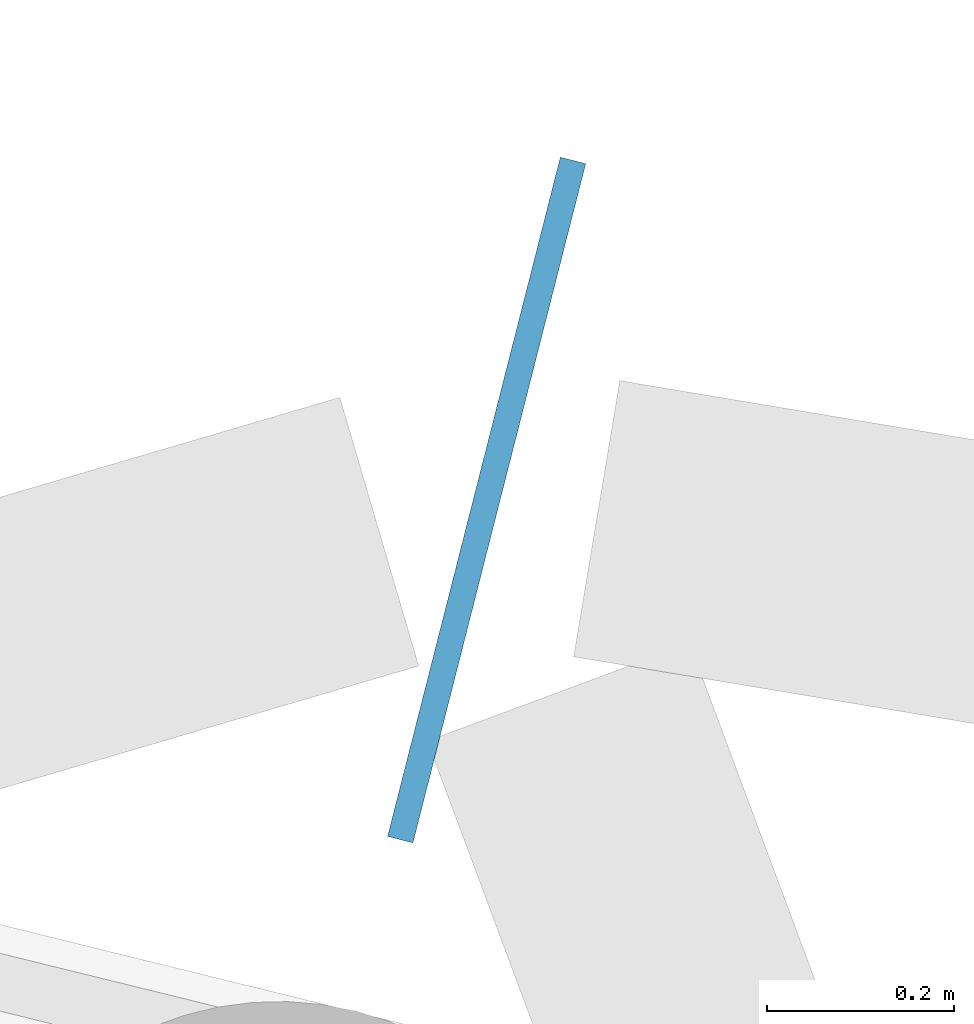
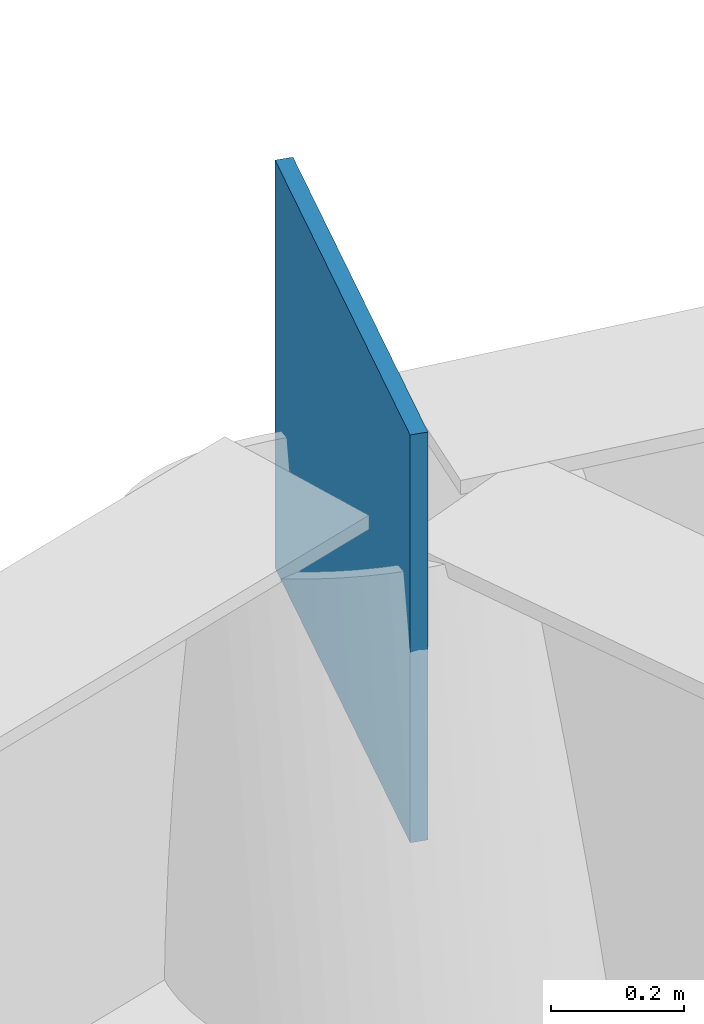
# One storey, part 58 of 91: 1 plate.
"""IFC4 building model written with IfcOpenShell, lengths in metres."""

from ifc_helpers import new_model, si_unit, direction, frame, origin, origin_2d, place, context, subcontext, project, spatial, rectangle, extrude, material, layer, layer_set, type_object, element, save


model = new_model("IFC4")

# Units and contexts
model_context = context("Model", 3, precision=1e-05, world=origin(), true_north=direction((0.0, 1.0)))
body_context = subcontext(model_context, "Body", "Model", "MODEL_VIEW")
ifc_project = project(units=[si_unit("LENGTHUNIT", "METRE"), si_unit("AREAUNIT", "SQUARE_METRE"), si_unit("VOLUMEUNIT", "CUBIC_METRE"), si_unit("PLANEANGLEUNIT", "RADIAN"), si_unit("MASSUNIT", "GRAM", prefix="KILO")], contexts=[model_context])

# Site, building, storey
site_placement = place(None, origin())
site = spatial("IfcSite", under=ifc_project, at=site_placement, CompositionType="ELEMENT")
building_placement = place(site_placement, origin())
building = spatial("IfcBuilding", under=site, at=building_placement, Name="Linyun Crest Stadium", CompositionType="ELEMENT")
storey_placement = place(building_placement, frame((0.0, 0.0, 11.39990234375)))
storey = spatial("IfcBuildingStorey", under=building, at=storey_placement, Name="L03", CompositionType="ELEMENT", Elevation=11.39990234375)

# Plate
ifc_material = material(Name="Steel Q420C", Category="steel")
ifc_layer = layer(ifc_material, 0.028076171875)
ifc_layer_set = layer_set([ifc_layer], Name="Steel Q420C")
plate_type = type_object("IfcPlateType", Name="EP03", PredefinedType="USERDEFINED", material=ifc_layer_set)
plate_placement = place(storey_placement, frame((75.885986328125, 99.7958984375, 3.99951171875), z_axis=(0.0, 0.0, 1.0), x_axis=(0.246491603437, 0.969144926951, 0.0)))
element("IfcPlate", 1, at=plate_placement, inside=storey, type_object=plate_type, Name="Hollow section cap end plate EP03 412", ObjectType="END PLATE", PredefinedType="USERDEFINED", context=body_context, shape_type="SweptSolid", body=[
    extrude(rectangle(XDim=0.7509765625, YDim=0.028076171875, at=origin_2d()), origin(), (0.0, 0.0, 1.0), 0.7509765625),
])

save(model, "model.ifc")
